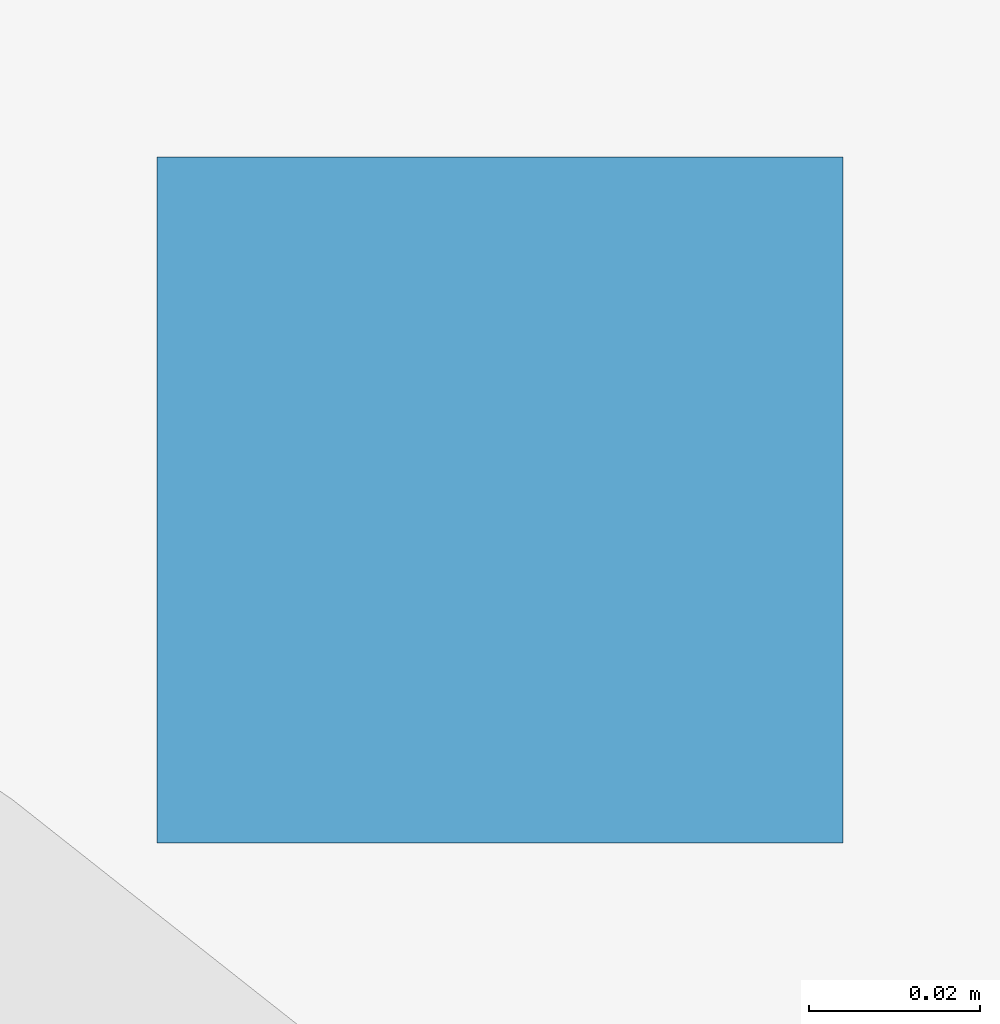
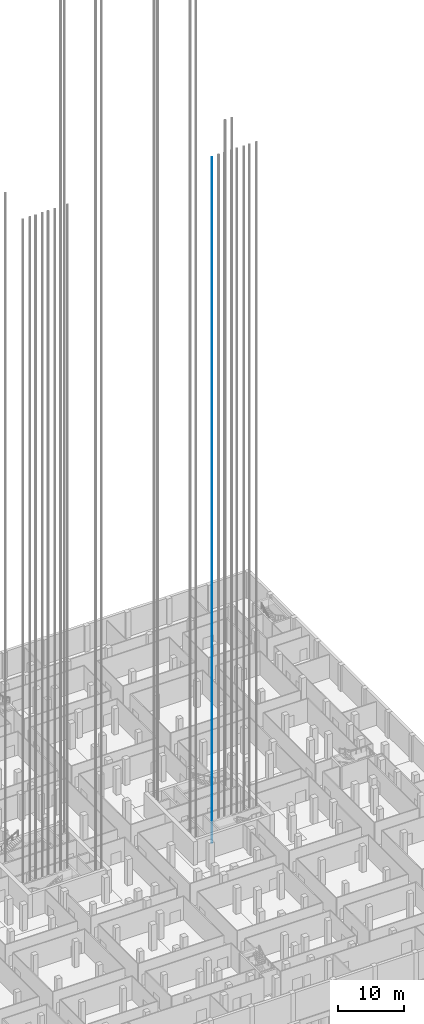
# One storey, part 38 of 54: 1 discrete accessory.
"""IFC4 building model written with IfcOpenShell, lengths in metres."""

import ifcopenshell
import ifcopenshell.guid

model = None  # the IFC model being written
_history = None  # IfcOwnerHistory: only IFC2X3 demands one
_inside = {}  # id of a spatial element -> (the spatial element, [elements in it])
_under = {}  # id of a project, library or spatial element -> (it, [spatial elements below it])
_declared = {}  # id of a project -> (the project, [libraries it declares])
_typed = {}  # id of a type object -> (the type object, [elements of that type])
_made_of = {}  # id of a material, layer set ... -> (it, [elements and type objects made of it])


def new_model(schema):
    """Start an empty IFC model of exactly this schema.

    Asked for "IFC4X3", IfcOpenShell would pick the latest addendum, in which some entities
    have other attributes; the version numbers below select the first issue.
    IFC2X3 requires an IfcOwnerHistory on every rooted entity: one is made here for all.
    """
    global model, _history
    if schema == "IFC4X3":
        model = ifcopenshell.file(schema_version=(4, 3, 0, 0))
    else:
        model = ifcopenshell.file(schema=schema)
    _inside.clear()
    _under.clear()
    _declared.clear()
    _typed.clear()
    _made_of.clear()
    _history = None
    if model.schema == "IFC2X3":
        org = make("IfcOrganization", Name="unknown")
        user = make(
            "IfcPersonAndOrganization",
            ThePerson=make("IfcPerson", FamilyName="unknown"),
            TheOrganization=org,
        )
        app = make(
            "IfcApplication",
            ApplicationDeveloper=org,
            Version="unknown",
            ApplicationFullName="unknown",
            ApplicationIdentifier="unknown",
        )
        _history = make(
            "IfcOwnerHistory",
            OwningUser=user,
            OwningApplication=app,
            ChangeAction="ADDED",
            CreationDate=0,
        )
    return model


def make(cls, **values):
    """One entity of the class cls with the attributes given. An attribute that is None is left unset."""
    return model.create_entity(
        cls, **{name: value for name, value in values.items() if value is not None}
    )


def rooted(cls, **values):
    """An entity with a GlobalId (a new one), such as an element, a storey or a relation."""
    return make(cls, GlobalId=ifcopenshell.guid.new(), OwnerHistory=_history, **values)


def si_unit(unit_type, name, prefix=None):
    """IfcSIUnit, for example si_unit("LENGTHUNIT", "METRE", prefix="MILLI")."""
    return make("IfcSIUnit", UnitType=unit_type, Prefix=prefix, Name=name)


def assignment(units):
    """IfcUnitAssignment: the units of a project."""
    return None if units is None else make("IfcUnitAssignment", Units=units)


def point(xyz):
    """IfcCartesianPoint."""
    return None if xyz is None else make("IfcCartesianPoint", Coordinates=xyz)


def direction(xyz):
    """IfcDirection."""
    return None if xyz is None else make("IfcDirection", DirectionRatios=xyz)


def frame(location, z_axis=None, x_axis=None):
    """IfcAxis2Placement3D, a coordinate frame: its origin and axes. An axis left out is left unset."""
    return make(
        "IfcAxis2Placement3D",
        Location=point(location),
        Axis=direction(z_axis),
        RefDirection=direction(x_axis),
    )


def frame_2d(location, x_axis=None):
    """IfcAxis2Placement2D, a coordinate frame in the plane: its origin and x axis."""
    return make(
        "IfcAxis2Placement2D", Location=point(location), RefDirection=direction(x_axis)
    )


def origin():
    """The frame at (0, 0, 0) with its axes left unset."""
    return frame((0.0, 0.0, 0.0))


def origin_2d():
    """The frame at (0, 0) in the plane with its x axis left unset."""
    return frame_2d((0.0, 0.0))


def place(relative_to, where):
    """IfcLocalPlacement: puts the frame where relative to a parent placement (None: the world)."""
    return make(
        "IfcLocalPlacement", PlacementRelTo=relative_to, RelativePlacement=where
    )


def context(
    kind, dimensions, precision=None, world=None, true_north=None, identifier=None
):
    """IfcGeometricRepresentationContext, for example the 3D "Model" context."""
    return make(
        "IfcGeometricRepresentationContext",
        ContextIdentifier=identifier,
        ContextType=kind,
        CoordinateSpaceDimension=dimensions,
        Precision=precision,
        WorldCoordinateSystem=world,
        TrueNorth=true_north,
    )


def subcontext(parent, identifier, kind, view, scale=None):
    """IfcGeometricRepresentationSubContext, for example "Body" below "Model"."""
    return make(
        "IfcGeometricRepresentationSubContext",
        ContextIdentifier=identifier,
        ContextType=kind,
        ParentContext=parent,
        TargetScale=scale,
        TargetView=view,
    )


def project(units=None, contexts=None):
    """IfcProject with its units and contexts."""
    return rooted(
        "IfcProject",
        Name="project",
        RepresentationContexts=contexts,
        UnitsInContext=assignment(units),
    )


def spatial(cls, under=None, at=None, **own):
    """A site, building, storey or space (cls), placed at a placement, below another one or the project."""
    s = rooted(cls, ObjectPlacement=at, **own)
    if under is not None:
        _under.setdefault(under.id(), (under, []))[1].append(s)
    return s


def profile(cls, at=None, kind="AREA", **sizes):
    """A parametric profile (cls). Its sizes go by their IFC names, for example OverallWidth=200.0."""
    return make(cls, ProfileType=kind, Position=at, **sizes)


def rectangle(**sizes):
    """IfcRectangleProfileDef."""
    return profile("IfcRectangleProfileDef", **sizes)


def extrude(swept, where, along, depth):
    """IfcExtrudedAreaSolid: the profile swept, set in the frame where, extruded along a direction by depth."""
    return make(
        "IfcExtrudedAreaSolid",
        SweptArea=swept,
        Position=where,
        ExtrudedDirection=direction(along),
        Depth=depth,
    )


def shape(context_of_items, identifier, shape_type, items):
    """IfcShapeRepresentation: the items that make up one representation, for example the "Body"."""
    return make(
        "IfcShapeRepresentation",
        ContextOfItems=context_of_items,
        RepresentationIdentifier=identifier,
        RepresentationType=shape_type,
        Items=items,
    )


def material(Name=None, Category=None):
    """IfcMaterial."""
    return make("IfcMaterial", Name=Name, Category=Category)


def made_of(thing, what):
    """Note that an element or type object is made of a material, layer set ...; save() writes the relation."""
    if what is not None:
        _made_of.setdefault(what.id(), (what, []))[1].append(thing)
    return thing


def element(
    cls,
    number,
    at=None,
    inside=None,
    cuts=None,
    type_object=None,
    material=None,
    context=None,
    identifier="Body",
    shape_type=None,
    held_by="IfcProductDefinitionShape",
    body=None,
    shapes=None,
    **own,
):
    """One element of the class cls, such as IfcWall. Its Tag is "e" and its number.

    at: its placement. inside: the storey or other place that contains it. cuts: it is an
    opening in that element (IfcRelVoidsElement). A single representation is given by context,
    identifier, shape_type and body (its items); several are given by shapes. held_by: the class
    of the entity that holds the representations. save() writes the other relations.
    """
    e = rooted(cls, Tag="e%d" % number, ObjectPlacement=at, **own)
    if body is not None:
        shapes = [shape(context, identifier, shape_type, body)]
    if shapes is not None:
        e.Representation = make(held_by, Representations=shapes)
    if inside is not None:
        _inside.setdefault(inside.id(), (inside, []))[1].append(e)
    if cuts is not None:
        rooted(
            "IfcRelVoidsElement", RelatingBuildingElement=cuts, RelatedOpeningElement=e
        )
    if type_object is not None:
        _typed.setdefault(type_object.id(), (type_object, []))[1].append(e)
    return made_of(e, material)


def aggregate(whole, parts):
    """IfcRelAggregates: a whole, such as a stair, and the parts it consists of."""
    return rooted("IfcRelAggregates", RelatingObject=whole, RelatedObjects=parts)


def save(model, path):
    """Write the relations noted so far, then the file.

    IfcRelAggregates (storeys below a building ...), IfcRelContainedInSpatialStructure (elements
    in a storey), IfcRelDefinesByType, IfcRelAssociatesMaterial and IfcRelDeclares: one each for
    every whole, place, type object, material and project.
    """
    for whole, parts in _under.values():
        aggregate(whole, parts)
    for where, things in _inside.values():
        rooted(
            "IfcRelContainedInSpatialStructure",
            RelatedElements=things,
            RelatingStructure=where,
        )
    for kind, things in _typed.values():
        rooted("IfcRelDefinesByType", RelatedObjects=things, RelatingType=kind)
    for what, things in _made_of.values():
        rooted("IfcRelAssociatesMaterial", RelatedObjects=things, RelatingMaterial=what)
    for by, libraries in _declared.values():
        rooted("IfcRelDeclares", RelatingContext=by, RelatedDefinitions=libraries)
    model.write(path)


model = new_model("IFC4")

# Units and contexts
model_context = context("Model", 3, precision=1e-05, world=origin(), true_north=direction((0.0, 1.0)))
body_context = subcontext(model_context, "Body", "Model", "MODEL_VIEW")
ifc_project = project(units=[si_unit("LENGTHUNIT", "METRE"), si_unit("AREAUNIT", "SQUARE_METRE"), si_unit("VOLUMEUNIT", "CUBIC_METRE"), si_unit("PLANEANGLEUNIT", "RADIAN"), si_unit("MASSUNIT", "GRAM", prefix="KILO")], contexts=[model_context])

# Site, building, storey
site_placement = place(None, origin())
site = spatial("IfcSite", under=ifc_project, at=site_placement, CompositionType="ELEMENT")
building_placement = place(site_placement, origin())
building = spatial("IfcBuilding", under=site, at=building_placement, Name="Fustian Cross Tower", CompositionType="ELEMENT")
storey_placement = place(building_placement, frame((0.0, 0.0, -4.800048828125)))
storey = spatial("IfcBuildingStorey", under=building, at=storey_placement, Name="B1", CompositionType="ELEMENT", Elevation=-4.800048828125)

# Discrete accessory
ifc_material = material(Name="Steel S355", Category="steel")
discrete_accessory_placement = place(storey_placement, frame((12.675048828125, -3.7099609375, 0.0), z_axis=(0.0, 0.0, 1.0), x_axis=(1.0, 0.0, 0.0)))
element("IfcDiscreteAccessory", 1, at=discrete_accessory_placement, inside=storey, material=ifc_material, Name="Lift guide rail LR1 1", PredefinedType="NOTDEFINED", context=body_context, shape_type="SweptSolid", body=[
    extrude(rectangle(XDim=0.080078125, YDim=0.080078125, at=origin_2d()), origin(), (0.0, 0.0, 1.0), 127.14990234375),
])

save(model, "model.ifc")
